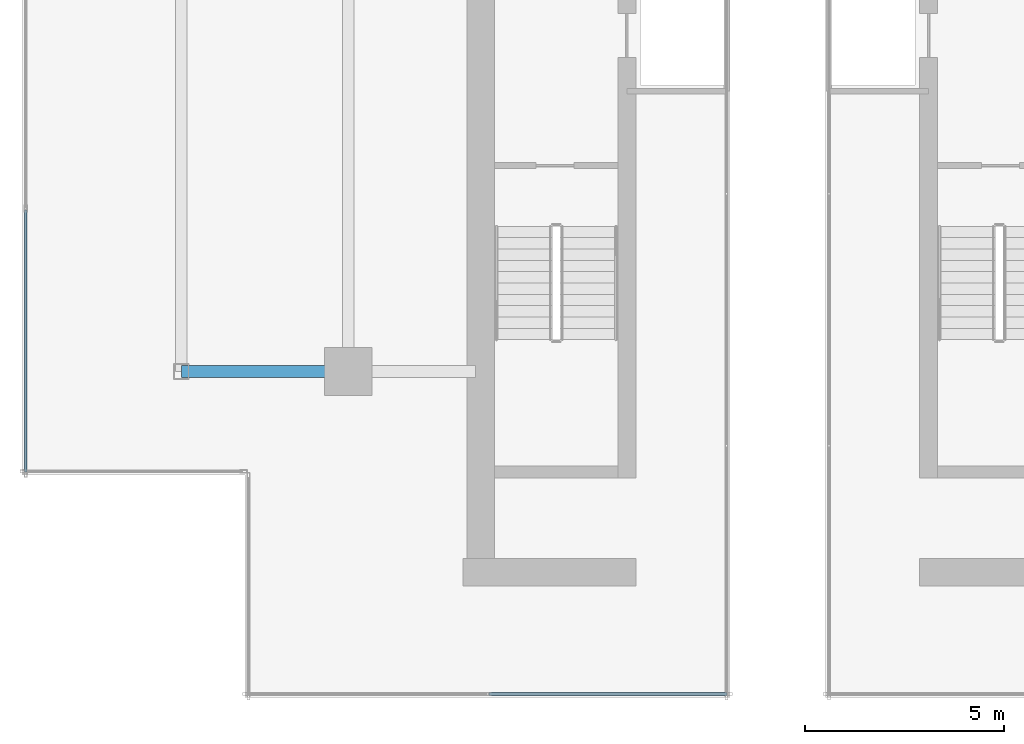
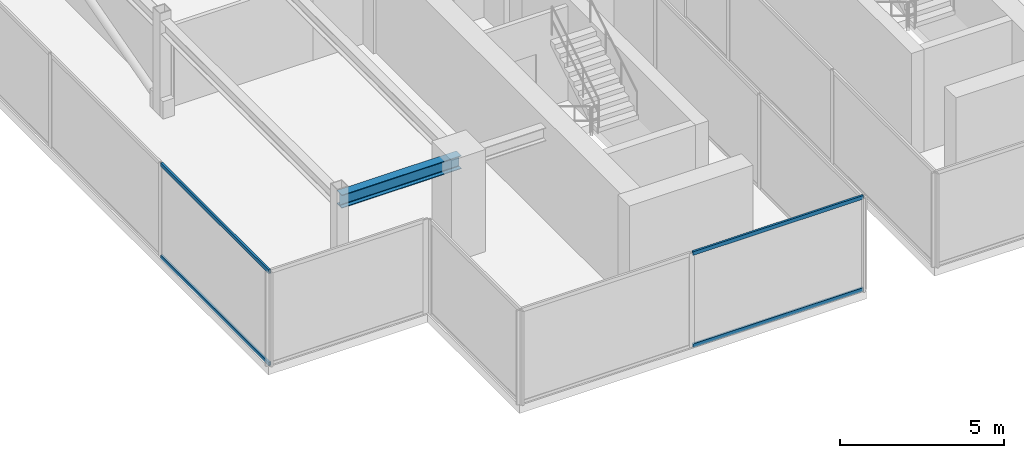
# One storey, part 3 of 25: 4 members, 1 beam, 2 elements without a shape of their own.
"""IFC4 building model written with IfcOpenShell, lengths in metres."""

from ifc_helpers import new_model, si_unit, direction, frame, origin, origin_2d, place, context, subcontext, project, spatial, hollow_rectangle, i_section, extrude, source, transform, mapped, material, material_profile, profile_set, type_object, type_shapes, element, aggregate, save


model = new_model("IFC4")

# Units and contexts
model_context = context("Model", 3, precision=1e-05, world=origin(), true_north=direction((0.0, 1.0)))
body_context = subcontext(model_context, "Body", "Model", "MODEL_VIEW")
ifc_project = project(units=[si_unit("LENGTHUNIT", "METRE"), si_unit("AREAUNIT", "SQUARE_METRE"), si_unit("VOLUMEUNIT", "CUBIC_METRE"), si_unit("PLANEANGLEUNIT", "RADIAN"), si_unit("MASSUNIT", "GRAM", prefix="KILO")], contexts=[model_context])

# Site, building, storey
site_placement = place(None, origin())
site = spatial("IfcSite", under=ifc_project, at=site_placement, CompositionType="ELEMENT")
building_placement = place(site_placement, origin())
building = spatial("IfcBuilding", under=site, at=building_placement, Name="Krantzveldt Concourse Tower", CompositionType="ELEMENT")
storey_placement = place(building_placement, frame((0.0, 0.0, 370.85009765625)))
storey = spatial("IfcBuildingStorey", under=building, at=storey_placement, Name="L91", CompositionType="ELEMENT", Elevation=370.85009765625)

# Beam
ifc_material_1 = material(Name="Steel S355JR", Category="steel")
ifc_material_profile_1 = material_profile(ifc_material_1, i_section(OverallWidth=0.300048828125, OverallDepth=0.489990234375, WebThickness=0.011962890625, FlangeThickness=0.02294921875, FilletRadius=0.027099609375, at=origin_2d()), Name="Steel S355JR", Category="steel")
ifc_profile_set_1 = profile_set([ifc_material_profile_1], Name="Steel S355JR - HEA 500")
beam_type = type_object("IfcBeamType", Name="BM-B-HEA500", PredefinedType="BEAM", material=ifc_profile_set_1)
shared_shape_1 = source(origin(), body_context, "Body", "SweptSolid", [
    extrude(i_section(OverallWidth=0.300048828125, OverallDepth=0.489990234375, WebThickness=0.011962890625, FlangeThickness=0.02294921875, FilletRadius=0.027099609375, at=origin_2d()), origin(), (0.0, 0.0, 1.0), 4.199951171875),
])
type_shapes(beam_type, [shared_shape_1])
beam_placement = place(storey_placement, frame((21.0, 15.89990234375, 3.2548828125), z_axis=(1.0, 0.0, 0.0), x_axis=(0.0, 1.0, 0.0)))
element("IfcBeam", 1, at=beam_placement, inside=storey, type_object=beam_type, Name="L91 Crown Girder WEST-6", PredefinedType="BEAM", context=body_context, shape_type="MappedRepresentation", body=[
    mapped(shared_shape_1, transform((0.0, 0.0, 0.0), x_axis=(1.0, 0.0, 0.0), y_axis=(0.0, 1.0, 0.0), z_axis=(0.0, 0.0, 1.0), scale=1.0)),
])

# Curtain wall, members
ifc_material_2 = material(Name="Anodised aluminium 6063-T6", Category="aluminium")
curtain_wall_type = type_object("IfcCurtainWallType", Name="CW7", PredefinedType="USERDEFINED", material=ifc_material_2)
curtain_wall_1_placement = place(storey_placement, origin())
curtain_wall_1 = element("IfcCurtainWall", 2, at=curtain_wall_1_placement, inside=storey, type_object=curtain_wall_type, Name="CW-L91-WEST-05", ObjectType="UNITISED CURTAIN WALL", PredefinedType="USERDEFINED")
ifc_material_profile_2 = material_profile(ifc_material_2, hollow_rectangle(XDim=0.070068359375, YDim=0.139892578125, WallThickness=0.0048828125, at=origin_2d()), Name="Anodised aluminium 6063-T6", Category="aluminium")
ifc_profile_set_2 = profile_set([ifc_material_profile_2], Name="Anodised aluminium 6063-T6 - ALU-TRAN 140x70x5")
member_type = type_object("IfcMemberType", Name="CW-TRN-150", PredefinedType="USERDEFINED", material=ifc_profile_set_2)
shared_shape_2 = source(origin(), body_context, "Body", "SweptSolid", [
    extrude(hollow_rectangle(XDim=0.070068359375, YDim=0.139892578125, WallThickness=0.0048828125, at=origin_2d()), origin(), (0.0, 0.0, 1.0), 6.594970703125),
])
member_1_placement = place(storey_placement, frame((17.090087890625, 19.965087890625, 0.034912109375), z_axis=(0.0, -1.0, 0.0), x_axis=(1.0, 0.0, 0.0)))
member_1 = element("IfcMember", 3, at=member_1_placement, type_object=member_type, Name="CW-CRN transom 4.1", ObjectType="TRANSOM", PredefinedType="USERDEFINED", context=body_context, shape_type="MappedRepresentation", body=[
    mapped(shared_shape_2, transform((0.0, 0.0, 0.0), x_axis=(1.0, 0.0, 0.0), y_axis=(0.0, 1.0, 0.0), z_axis=(0.0, 0.0, 1.0), scale=1.0)),
])
member_2_placement = place(storey_placement, frame((17.090087890625, 19.965087890625, 3.46484375), z_axis=(0.0, -1.0, 0.0), x_axis=(1.0, 0.0, 0.0)))
member_2 = element("IfcMember", 4, at=member_2_placement, type_object=member_type, Name="CW-CRN transom 4.2", ObjectType="TRANSOM", PredefinedType="USERDEFINED", context=body_context, shape_type="MappedRepresentation", body=[
    mapped(shared_shape_2, transform((0.0, 0.0, 0.0), x_axis=(1.0, 0.0, 0.0), y_axis=(0.0, 1.0, 0.0), z_axis=(0.0, 0.0, 1.0), scale=1.0)),
])
aggregate(curtain_wall_1, [member_1, member_2])

curtain_wall_2_placement = place(storey_placement, origin())
curtain_wall_2 = element("IfcCurtainWall", 5, at=curtain_wall_2_placement, inside=storey, type_object=curtain_wall_type, Name="CW-L91-WEST-00", ObjectType="UNITISED CURTAIN WALL", PredefinedType="USERDEFINED")
shared_shape_3 = source(origin(), body_context, "Body", "SweptSolid", [
    extrude(hollow_rectangle(XDim=0.070068359375, YDim=0.139892578125, WallThickness=0.0048828125, at=origin_2d()), origin(), (0.0, 0.0, 1.0), 5.994873046875),
])
type_shapes(member_type, [shared_shape_2, shared_shape_3])
member_3_placement = place(storey_placement, frame((28.735107421875, 7.7900390625, 0.034912109375), z_axis=(1.0, 0.0, 0.0), x_axis=(0.0, 1.0, 0.0)))
member_3 = element("IfcMember", 6, at=member_3_placement, type_object=member_type, Name="CW-CRN transom 2.1", ObjectType="TRANSOM", PredefinedType="USERDEFINED", context=body_context, shape_type="MappedRepresentation", body=[
    mapped(shared_shape_3, transform((0.0, 0.0, 0.0), x_axis=(1.0, 0.0, 0.0), y_axis=(0.0, 1.0, 0.0), z_axis=(0.0, 0.0, 1.0), scale=1.0)),
])
member_4_placement = place(storey_placement, frame((28.735107421875, 7.7900390625, 3.46484375), z_axis=(1.0, 0.0, 0.0), x_axis=(0.0, 1.0, 0.0)))
member_4 = element("IfcMember", 7, at=member_4_placement, type_object=member_type, Name="CW-CRN transom 2.2", ObjectType="TRANSOM", PredefinedType="USERDEFINED", context=body_context, shape_type="MappedRepresentation", body=[
    mapped(shared_shape_3, transform((0.0, 0.0, 0.0), x_axis=(1.0, 0.0, 0.0), y_axis=(0.0, 1.0, 0.0), z_axis=(0.0, 0.0, 1.0), scale=1.0)),
])
aggregate(curtain_wall_2, [member_3, member_4])

save(model, "model.ifc")
